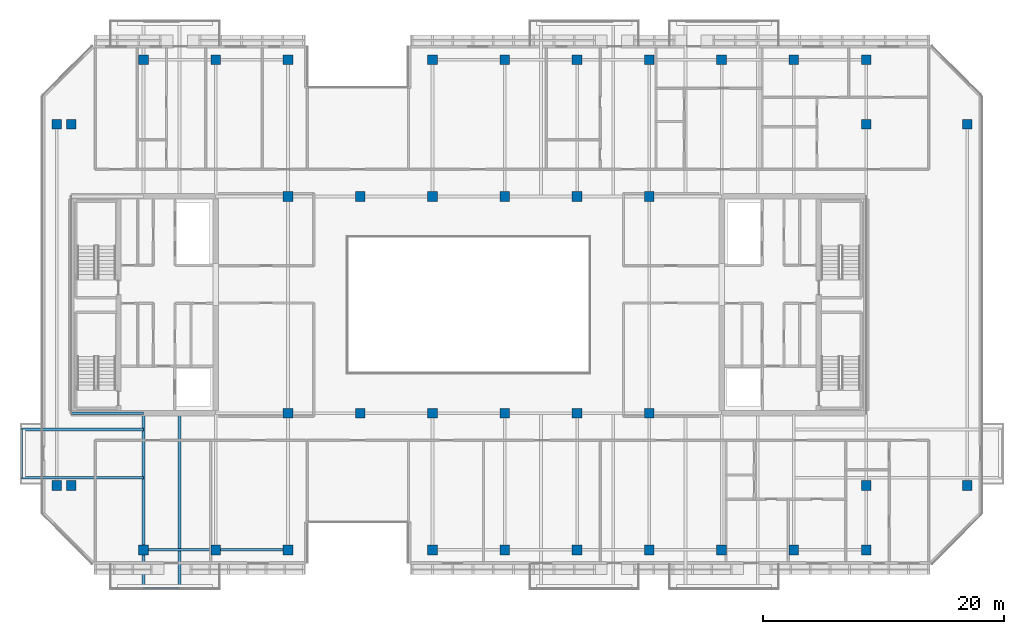
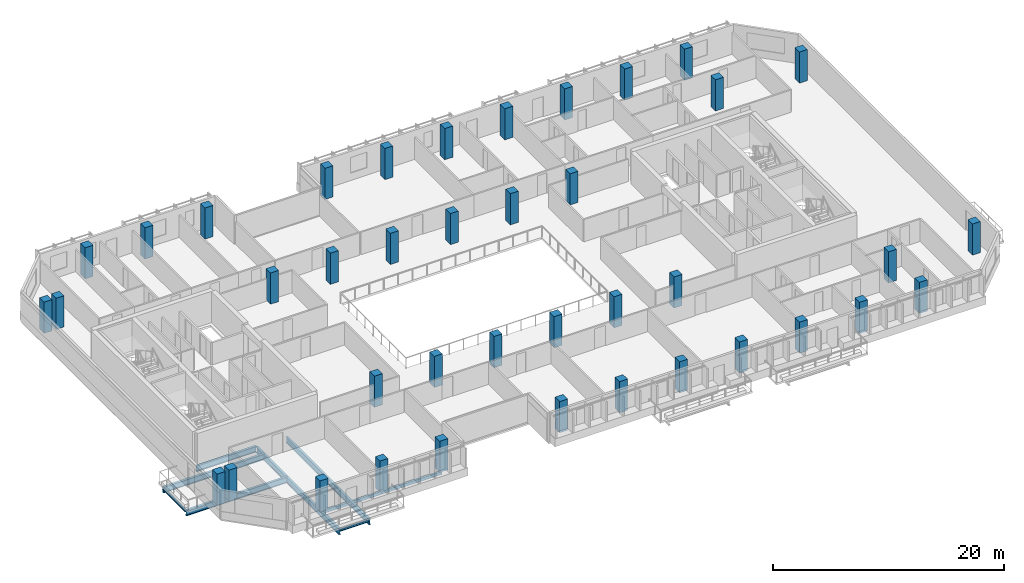
# One storey, part 1 of 22: 40 columns, 9 beams.
"""IFC4 building model written with IfcOpenShell, lengths in metres."""

from ifc_helpers import new_model, si_unit, direction, frame, origin, origin_2d, place, context, subcontext, project, spatial, rectangle, hollow_rectangle, i_section, extrude, material, material_profile, profile_set, type_object, element, save


model = new_model("IFC4")

# Units and contexts
model_context = context("Model", 3, precision=1e-05, world=origin(), true_north=direction((0.0, 1.0)))
body_context = subcontext(model_context, "Body", "Model", "MODEL_VIEW")
ifc_project = project(units=[si_unit("LENGTHUNIT", "METRE"), si_unit("AREAUNIT", "SQUARE_METRE"), si_unit("VOLUMEUNIT", "CUBIC_METRE"), si_unit("PLANEANGLEUNIT", "RADIAN"), si_unit("MASSUNIT", "GRAM", prefix="KILO")], contexts=[model_context])

# Site, building, storey
site_placement = place(None, origin())
site = spatial("IfcSite", under=ifc_project, at=site_placement, CompositionType="ELEMENT")
building_placement = place(site_placement, origin())
building = spatial("IfcBuilding", under=site, at=building_placement, Name="Tanjung Sevakor Pilgrim Tower", CompositionType="ELEMENT")
storey_placement = place(building_placement, frame((0.0, 0.0, 195.030029296875)))
storey = spatial("IfcBuildingStorey", under=building, at=storey_placement, Name="L54", CompositionType="ELEMENT", Elevation=195.030029296875)

# Columns
ifc_material_1 = material(Name="Concrete C60/75", Category="concrete")
ifc_material_profile_1 = material_profile(ifc_material_1, rectangle(XDim=0.800048828125, YDim=0.800048828125, at=origin_2d()))
ifc_profile_set_1 = profile_set([ifc_material_profile_1], Name="Concrete C60/75")
column_type = type_object("IfcColumnType", Name="COL-C-T800-RC_800x800", PredefinedType="COLUMN", material=ifc_profile_set_1)
for number, where, z_axis, x_axis, name in (
    (1, (42.0, 24.60009765625, 0.0), (0.0, 0.0, 1.0), (1.0, 0.0, 0.0), "L54 Column SPW-042-246"),
    (2, (42.0, 42.60009765625, 0.0), (0.0, 0.0, 1.0), (1.0, 0.0, 0.0), "L54 Column SPW-042-426"),
    (3, (48.0, 24.60009765625, 0.0), (0.0, 0.0, 1.0), (1.0, 0.0, 0.0), "L54 Column SPW-048-246"),
    (4, (48.0, 42.60009765625, 0.0), (0.0, 0.0, 1.0), (1.0, 0.0, 0.0), "L54 Column SPW-048-426"),
    (5, (54.0, 24.60009765625, 0.0), (0.0, 0.0, 1.0), (1.0, 0.0, 0.0), "L54 Column SPE-054-246"),
    (6, (54.0, 42.60009765625, 0.0), (0.0, 0.0, 1.0), (1.0, 0.0, 0.0), "L54 Column SPE-054-426"),
    (7, (60.0, 24.60009765625, 0.0), (0.0, 0.0, 1.0), (1.0, 0.0, 0.0), "L54 Column SPE-060-246"),
    (8, (60.0, 42.60009765625, 0.0), (0.0, 0.0, 1.0), (1.0, 0.0, 0.0), "L54 Column SPE-060-426"),
    (9, (66.0, 24.60009765625, 0.0), (0.0, 0.0, 1.0), (1.0, 0.0, 0.0), "L54 Column SPE-066-246"),
    (10, (66.0, 42.60009765625, 0.0), (0.0, 0.0, 1.0), (1.0, 0.0, 0.0), "L54 Column SPE-066-426"),
    (11, (72.0, 24.60009765625, 0.0), (0.0, 0.0, 1.0), (1.0, 0.0, 0.0), "L54 Column SPE-072-246"),
    (12, (72.0, 42.60009765625, 0.0), (0.0, 0.0, 1.0), (1.0, 0.0, 0.0), "L54 Column SPE-072-426"),
    (13, (22.800048828125, 18.60009765625, 0.0), (0.0, 0.0, 1.0), (1.0, 0.0, 0.0), "L54 Column TCE-0228-186"),
    (14, (22.800048828125, 48.60009765625, 0.0), (0.0, 0.0, 1.0), (1.0, 0.0, 0.0), "L54 Column TCE-0228-486"),
    (15, (24.0, 18.60009765625, 0.0), (0.0, 0.0, 1.0), (1.0, 0.0, 0.0), "L54 Column TCE-0240-186"),
    (16, (24.0, 48.60009765625, 0.0), (0.0, 0.0, 1.0), (1.0, 0.0, 0.0), "L54 Column TCE-0240-486"),
    (17, (90.0, 18.60009765625, 0.0), (0.0, 0.0, 1.0), (1.0, 0.0, 0.0), "L54 Column TCE-0900-186"),
    (18, (90.0, 48.60009765625, 0.0), (0.0, 0.0, 1.0), (1.0, 0.0, 0.0), "L54 Column TCE-0900-486"),
    (19, (98.39990234375, 18.60009765625, 0.0), (0.0, 0.0, 1.0), (1.0, 0.0, 0.0), "L54 Column TCE-0984-186"),
    (20, (98.39990234375, 48.60009765625, 0.0), (0.0, 0.0, 1.0), (1.0, 0.0, 0.0), "L54 Column TCE-0984-486"),
    (21, (30.0, 13.25, 0.0), (0.0, 0.0, 1.0), (1.0, 0.0, 0.0), "L54 Column TC4-030-132"),
    (22, (30.0, 53.949951171875, 0.0), (0.0, 0.0, 1.0), (1.0, 0.0, 0.0), "L54 Column TC4-030-540"),
    (23, (36.0, 13.25, 0.0), (0.0, 0.0, 1.0), (1.0, 0.0, 0.0), "L54 Column TC4-036-132"),
    (24, (36.0, 53.949951171875, 0.0), (0.0, 0.0, 1.0), (1.0, 0.0, 0.0), "L54 Column TC4-036-540"),
    (25, (42.0, 13.25, 0.0), (0.0, 0.0, 1.0), (1.0, 0.0, 0.0), "L54 Column TC4-042-132"),
    (26, (42.0, 53.949951171875, 0.0), (0.0, 0.0, 1.0), (1.0, 0.0, 0.0), "L54 Column TC4-042-540"),
    (27, (54.0, 13.25, 0.0), (0.0, 0.0, 1.0), (1.0, 0.0, 0.0), "L54 Column TC4-054-132"),
    (28, (54.0, 53.949951171875, 0.0), (0.0, 0.0, 1.0), (1.0, 0.0, 0.0), "L54 Column TC4-054-540"),
    (29, (60.0, 13.25, 0.0), (0.0, 0.0, 1.0), (1.0, 0.0, 0.0), "L54 Column TC4-060-132"),
    (30, (60.0, 53.949951171875, 0.0), (0.0, 0.0, 1.0), (1.0, 0.0, 0.0), "L54 Column TC4-060-540"),
    (31, (66.0, 13.25, 0.0), (0.0, 0.0, 1.0), (1.0, 0.0, 0.0), "L54 Column TC4-066-132"),
    (32, (66.0, 53.949951171875, 0.0), (0.0, 0.0, 1.0), (1.0, 0.0, 0.0), "L54 Column TC4-066-540"),
    (33, (72.0, 13.25, 0.0), (0.0, 0.0, 1.0), (1.0, 0.0, 0.0), "L54 Column TC4-072-132"),
    (34, (72.0, 53.949951171875, 0.0), (0.0, 0.0, 1.0), (1.0, 0.0, 0.0), "L54 Column TC4-072-540"),
    (35, (78.0, 13.25, 0.0), (0.0, 0.0, 1.0), (1.0, 0.0, 0.0), "L54 Column TC4-078-132"),
    (36, (78.0, 53.949951171875, 0.0), (0.0, 0.0, 1.0), (1.0, 0.0, 0.0), "L54 Column TC4-078-540"),
    (37, (84.0, 13.25, 0.0), (0.0, 0.0, 1.0), (1.0, 0.0, 0.0), "L54 Column TC4-084-132"),
    (38, (84.0, 53.949951171875, 0.0), (0.0, 0.0, 1.0), (1.0, 0.0, 0.0), "L54 Column TC4-084-540"),
    (39, (90.0, 13.25, 0.0), (0.0, 0.0, 1.0), (1.0, 0.0, 0.0), "L54 Column TC4-090-132"),
    (40, (90.0, 53.949951171875, 0.0), (0.0, 0.0, 1.0), (1.0, 0.0, 0.0), "L54 Column TC4-090-540"),
):
    element("IfcColumn", number, at=place(storey_placement, frame(where, z_axis=z_axis, x_axis=x_axis)), inside=storey, type_object=column_type, Name=name, PredefinedType="COLUMN", context=body_context, shape_type="SweptSolid", body=[
        extrude(rectangle(XDim=0.800048828125, YDim=0.800048828125, at=origin_2d()), origin(), (0.0, 0.0, 1.0), 3.300048828125),
    ])

# Beams
ifc_material_2 = material(Name="Steel S355J2", Category="steel")
ifc_material_profile_2 = material_profile(ifc_material_2, i_section(OverallWidth=0.22900390625, OverallDepth=0.6123046875, WebThickness=0.011962890625, FlangeThickness=0.01953125, FilletRadius=0.0126953125, at=origin_2d()))
ifc_profile_set_2 = profile_set([ifc_material_profile_2], Name="Steel S355J2")
beam_type_1 = type_object("IfcBeamType", Name="BM-B-G4-UB_610x229x125", PredefinedType="BEAM", material=ifc_profile_set_2)
for number, where, z_axis, x_axis, name in (
    (41, (30.0, 19.25, -0.526123046875), (-1.0, 0.0, 0.0), (0.0, -1.0, 0.0), "L54 Balcony Overhanging Beam MAIN-W1-1"),
    (42, (30.0, 23.25, -0.526123046875), (-1.0, 0.0, 0.0), (0.0, -1.0, 0.0), "L54 Balcony Overhanging Beam MAIN-W1-2"),
):
    element("IfcBeam", number, at=place(storey_placement, frame(where, z_axis=z_axis, x_axis=x_axis)), inside=storey, type_object=beam_type_1, Name=name, PredefinedType="BEAM", context=body_context, shape_type="SweptSolid", body=[
        extrude(i_section(OverallWidth=0.22900390625, OverallDepth=0.6123046875, WebThickness=0.011962890625, FlangeThickness=0.01953125, FilletRadius=0.0126953125, at=origin_2d()), origin(), (0.0, 0.0, 1.0), 10.1298828125),
    ])
beam_1_placement = place(storey_placement, frame((24.0, 24.60009765625, -0.526123046875), z_axis=(1.0, 0.0, 0.0), x_axis=(0.0, 1.0, 0.0)))
element("IfcBeam", 43, at=beam_1_placement, inside=storey, type_object=beam_type_1, Name="L54 Primary Floor Girder MAIN Y246-01", PredefinedType="BEAM", context=body_context, shape_type="SweptSolid", body=[
    extrude(i_section(OverallWidth=0.22900390625, OverallDepth=0.6123046875, WebThickness=0.011962890625, FlangeThickness=0.01953125, FilletRadius=0.0126953125, at=origin_2d()), origin(), (0.0, 0.0, 1.0), 6.0),
])
for number, where, z_axis, x_axis, name in (
    (44, (30.0, 24.485595703125, -0.526123046875), (0.0, -1.0, 0.0), (1.0, 0.0, 0.0), "L54 Balcony Cantilever Beam MAIN-S1-1"),
    (45, (33.0, 24.485595703125, -0.526123046875), (0.0, -1.0, 0.0), (1.0, 0.0, 0.0), "L54 Balcony Cantilever Beam MAIN-S1-2"),
):
    element("IfcBeam", number, at=place(storey_placement, frame(where, z_axis=z_axis, x_axis=x_axis)), inside=storey, type_object=beam_type_1, Name=name, PredefinedType="BEAM", context=body_context, shape_type="SweptSolid", body=[
        extrude(i_section(OverallWidth=0.22900390625, OverallDepth=0.6123046875, WebThickness=0.011962890625, FlangeThickness=0.01953125, FilletRadius=0.0126953125, at=origin_2d()), origin(), (0.0, 0.0, 1.0), 14.41552734375),
    ])
ifc_material_3 = material(Name="Steel S355J2", Category="steel")
ifc_material_profile_3 = material_profile(ifc_material_3, i_section(OverallWidth=0.146484375, OverallDepth=0.256103515625, WebThickness=0.00634765625, FlangeThickness=0.010986328125, FilletRadius=0.007568359375, at=origin_2d()))
ifc_profile_set_3 = profile_set([ifc_material_profile_3], Name="Steel S355J2")
beam_type_2 = type_object("IfcBeamType", Name="BM-B-J6-UB_254x146x37", PredefinedType="JOIST", material=ifc_profile_set_3)
beam_2_placement = place(storey_placement, frame((30.0, 10.070068359375, -0.328125), z_axis=(1.0, 0.0, 0.0), x_axis=(0.0, 1.0, 0.0)))
element("IfcBeam", 46, at=beam_2_placement, inside=storey, type_object=beam_type_2, Name="L54 Balcony Rim Tie MAIN-S1", PredefinedType="JOIST", context=body_context, shape_type="SweptSolid", body=[
    extrude(i_section(OverallWidth=0.146484375, OverallDepth=0.256103515625, WebThickness=0.00634765625, FlangeThickness=0.010986328125, FilletRadius=0.007568359375, at=origin_2d()), origin(), (0.0, 0.0, 1.0), 3.0),
])
beam_3_placement = place(storey_placement, frame((19.8701171875, 19.25, -0.328125), z_axis=(0.0, 1.0, 0.0), x_axis=(-1.0, 0.0, 0.0)))
element("IfcBeam", 47, at=beam_3_placement, inside=storey, type_object=beam_type_2, Name="L54 Balcony Rim Tie MAIN-W1", PredefinedType="JOIST", context=body_context, shape_type="SweptSolid", body=[
    extrude(i_section(OverallWidth=0.146484375, OverallDepth=0.256103515625, WebThickness=0.00634765625, FlangeThickness=0.010986328125, FilletRadius=0.007568359375, at=origin_2d()), origin(), (0.0, 0.0, 1.0), 4.0),
])
ifc_material_4 = material(Name="Steel S355J2", Category="steel")
ifc_material_profile_4 = material_profile(ifc_material_4, hollow_rectangle(XDim=0.199951171875, YDim=0.300048828125, WallThickness=0.012451171875, at=origin_2d()))
ifc_profile_set_4 = profile_set([ifc_material_profile_4], Name="Steel S355J2")
beam_type_3 = type_object("IfcBeamType", Name="BM-B-SP3-RHS_300x200x12.5", PredefinedType="SPANDREL", material=ifc_profile_set_4)
for number, where, z_axis, x_axis, name in (
    (48, (30.0, 13.25, -0.3701171875), (1.0, 0.0, 0.0), (0.0, 1.0, 0.0), "L54 Spandrel MAIN S-01"),
    (49, (36.0, 13.25, -0.3701171875), (1.0, 0.0, 0.0), (0.0, 1.0, 0.0), "L54 Spandrel MAIN S-03"),
):
    element("IfcBeam", number, at=place(storey_placement, frame(where, z_axis=z_axis, x_axis=x_axis)), inside=storey, type_object=beam_type_3, Name=name, PredefinedType="SPANDREL", context=body_context, shape_type="SweptSolid", body=[
        extrude(hollow_rectangle(XDim=0.199951171875, YDim=0.300048828125, WallThickness=0.012451171875, at=origin_2d()), origin(), (0.0, 0.0, 1.0), 6.0),
    ])

save(model, "model.ifc")
